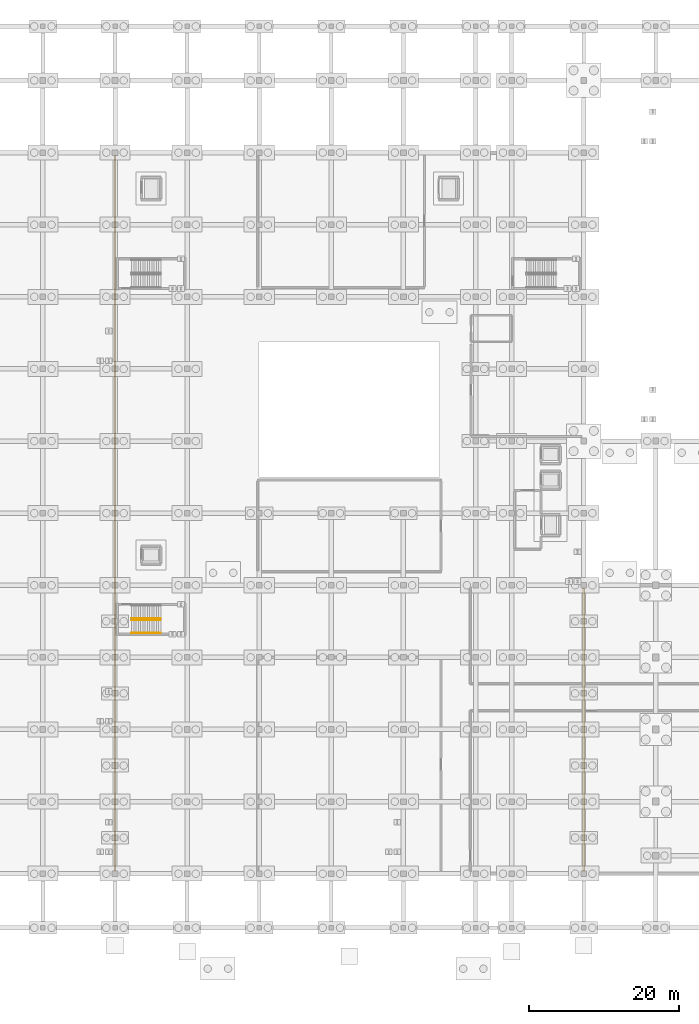
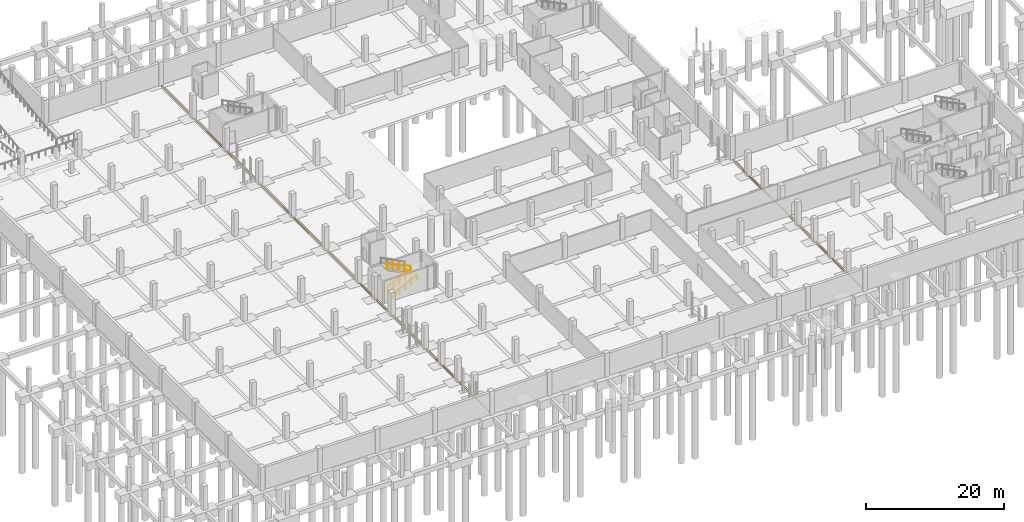
# One storey, part 47 of 54: 3 railings, 2 coverings.
"""IFC4 building model written with IfcOpenShell, lengths in metres."""

from ifc_helpers import new_model, si_unit, direction, frame, origin, origin_2d, place, context, subcontext, project, spatial, polyline, circle, outline, extrude, material, layer, layer_set, type_object, element, save


model = new_model("IFC4")

# Units and contexts
model_context = context("Model", 3, precision=1e-05, world=origin(), true_north=direction((0.0, 1.0)))
body_context = subcontext(model_context, "Body", "Model", "MODEL_VIEW")
ifc_project = project(units=[si_unit("LENGTHUNIT", "METRE"), si_unit("AREAUNIT", "SQUARE_METRE"), si_unit("VOLUMEUNIT", "CUBIC_METRE"), si_unit("PLANEANGLEUNIT", "RADIAN"), si_unit("MASSUNIT", "GRAM", prefix="KILO")], contexts=[model_context])

# Site, building, storey
site_placement = place(None, origin())
site = spatial("IfcSite", under=ifc_project, at=site_placement, CompositionType="ELEMENT")
building_placement = place(site_placement, origin())
building = spatial("IfcBuilding", under=site, at=building_placement, Name="Zevrakil Square Congress Hotel", CompositionType="ELEMENT")
storey_placement = place(building_placement, frame((0.0, 0.0, -8.39990234375)))
storey = spatial("IfcBuildingStorey", under=building, at=storey_placement, Name="B2", CompositionType="ELEMENT", Elevation=-8.39990234375)

# Coverings
ifc_material_1 = material(Name="Honed Addis Basalt Stone Flooring", Category="masonry")
ifc_layer = layer(ifc_material_1, 0.030029296875)
ifc_layer_set = layer_set([ifc_layer], Name="Honed Addis Basalt Stone Flooring")
covering_type = type_object("IfcCoveringType", Name="COV-FLOR-BASALT-030", PredefinedType="FLOORING", material=ifc_layer_set)
covering_1_placement = place(storey_placement, origin())
element("IfcCovering", 1, at=covering_1_placement, inside=storey, type_object=covering_type, Name="B2 flush movement-joint floor cover plate 01", PredefinedType="FLOORING", context=body_context, shape_type="SweptSolid", body=[
    extrude(outline(polyline([(55.080078125, 7.60009765625), (55.320068359375, 7.60009765625), (55.320068359375, 102.800048828125), (55.080078125, 102.800048828125), (55.080078125, 7.60009765625)])), origin(), (0.0, 0.0, 1.0), 0.02978515625),
])
covering_2_placement = place(storey_placement, origin())
element("IfcCovering", 2, at=covering_2_placement, inside=storey, type_object=covering_type, Name="B2 flush movement-joint floor cover plate 02", PredefinedType="FLOORING", context=body_context, shape_type="SweptSolid", body=[
    extrude(outline(polyline([(117.47998046875, 7.60009765625), (117.719970703125, 7.60009765625), (117.719970703125, 45.199951171875), (117.47998046875, 45.199951171875), (117.47998046875, 7.60009765625)])), origin(), (0.0, 0.0, 1.0), 0.02978515625),
])

# Railings
ifc_material_2 = material(Name="Steel S355", Category="steel")
railing_type_1 = type_object("IfcRailingType", Name="RLG-STAIR-GUARD-1100", PredefinedType="BALUSTRADE", material=ifc_material_2)
railing_1_placement = place(storey_placement, frame((57.39990234375, 40.949951171875, 0.14990234375)))
element("IfcRailing", 3, at=railing_1_placement, inside=storey, type_object=railing_type_1, Name="B2 ST04 stair guard 1", PredefinedType="BALUSTRADE", context=body_context, shape_type="SweptSolid", body=[
    extrude(circle(Radius=0.02392578125, at=origin_2d()), frame((0.0, 0.0, 1.076171875), z_axis=(0.894438388696, 0.0, 0.447191199406), x_axis=(0.0, 1.0, 0.0)), (0.0, 0.0, 1.0), 4.3603515625),
    extrude(circle(Radius=0.02099609375, at=origin_2d()), origin(), (0.0, 0.0, 1.0), 1.052001953125),
    extrude(circle(Radius=0.02099609375, at=origin_2d()), frame((0.97509765625, 0.0, 0.487548828125)), (0.0, 0.0, 1.0), 1.052001953125),
    extrude(circle(Radius=0.02099609375, at=origin_2d()), frame((1.9501953125, 0.0, 0.97509765625)), (0.0, 0.0, 1.0), 1.052001953125),
    extrude(circle(Radius=0.02099609375, at=origin_2d()), frame((2.925048828125, 0.0, 1.46240234375)), (0.0, 0.0, 1.0), 1.052001953125),
    extrude(circle(Radius=0.02099609375, at=origin_2d()), frame((3.900146484375, 0.0, 1.949951171875)), (0.0, 0.0, 1.0), 1.052001953125),
])
railing_2_placement = place(storey_placement, frame((61.300048828125, 41.199951171875, 2.25)))
element("IfcRailing", 4, at=railing_2_placement, inside=storey, type_object=railing_type_1, Name="B2 ST04 stair guard 3", PredefinedType="BALUSTRADE", context=body_context, shape_type="SweptSolid", body=[
    extrude(circle(Radius=0.02392578125, at=origin_2d()), frame((0.0, 0.0, 1.076171875), z_axis=(-0.894438388696, 0.0, 0.447191199406), x_axis=(0.0, -1.0, 0.0)), (0.0, 0.0, 1.0), 4.3603515625),
    extrude(circle(Radius=0.02099609375, at=origin_2d()), origin(), (0.0, 0.0, 1.0), 1.052001953125),
    extrude(circle(Radius=0.02099609375, at=origin_2d()), frame((-0.97509765625, 0.0, 0.487548828125)), (0.0, 0.0, 1.0), 1.052001953125),
    extrude(circle(Radius=0.02099609375, at=origin_2d()), frame((-1.9501953125, 0.0, 0.97509765625)), (0.0, 0.0, 1.0), 1.052001953125),
    extrude(circle(Radius=0.02099609375, at=origin_2d()), frame((-2.925048828125, 0.0, 1.46240234375)), (0.0, 0.0, 1.0), 1.052001953125),
    extrude(circle(Radius=0.02099609375, at=origin_2d()), frame((-3.900146484375, 0.0, 1.949951171875)), (0.0, 0.0, 1.0), 1.052001953125),
])
ifc_material_3 = material(Name="Steel S355", Category="steel")
railing_type_2 = type_object("IfcRailingType", Name="RLG-STAIR-HAND-900", PredefinedType="HANDRAIL", material=ifc_material_3)
railing_3_placement = place(storey_placement, frame((57.39990234375, 39.25, 0.14990234375)))
element("IfcRailing", 5, at=railing_3_placement, inside=storey, type_object=railing_type_2, Name="B2 ST04 stair handrail 1", PredefinedType="HANDRAIL", context=body_context, shape_type="SweptSolid", body=[
    extrude(circle(Radius=0.02392578125, at=origin_2d()), frame((0.0, 0.0, 0.8759765625), z_axis=(0.894438388696, 0.0, 0.447191199406), x_axis=(0.0, 1.0, 0.0)), (0.0, 0.0, 1.0), 4.3603515625),
    extrude(circle(Radius=0.02099609375, at=origin_2d()), origin(), (0.0, 0.0, 1.0), 0.851806640625),
    extrude(circle(Radius=0.02099609375, at=origin_2d()), frame((0.97509765625, 0.0, 0.487548828125)), (0.0, 0.0, 1.0), 0.851806640625),
    extrude(circle(Radius=0.02099609375, at=origin_2d()), frame((1.9501953125, 0.0, 0.97509765625)), (0.0, 0.0, 1.0), 0.851806640625),
    extrude(circle(Radius=0.02099609375, at=origin_2d()), frame((2.925048828125, 0.0, 1.46240234375)), (0.0, 0.0, 1.0), 0.851806640625),
    extrude(circle(Radius=0.02099609375, at=origin_2d()), frame((3.900146484375, 0.0, 1.949951171875)), (0.0, 0.0, 1.0), 0.851806640625),
])

save(model, "model.ifc")
